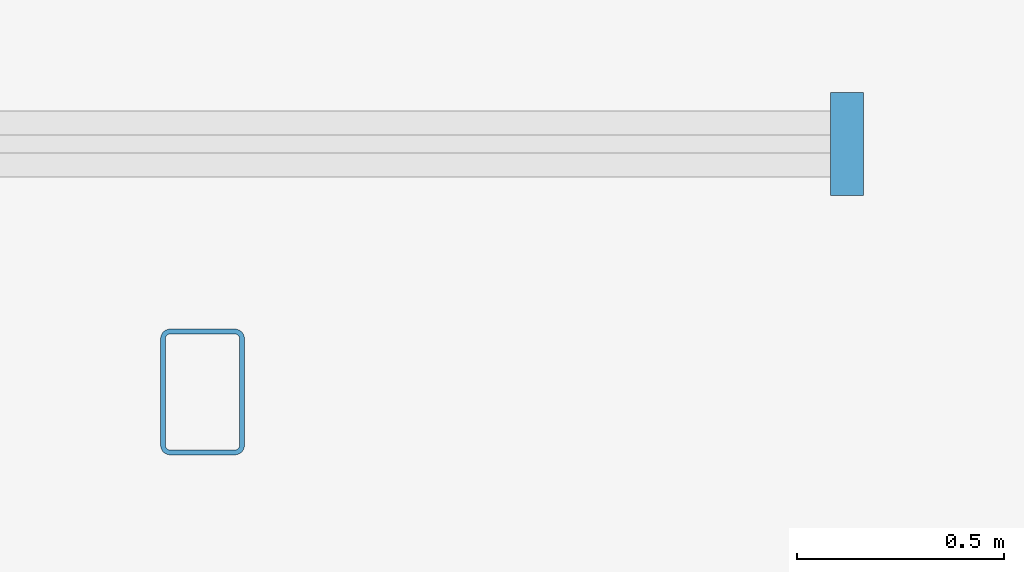
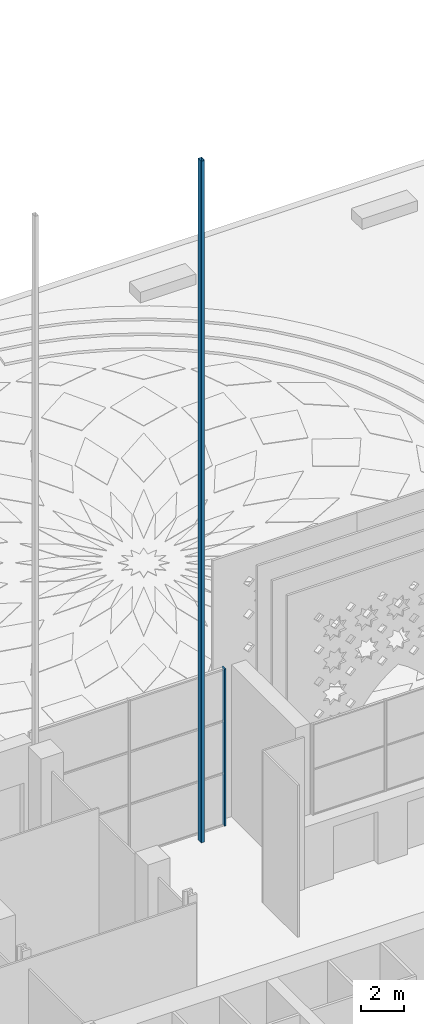
# One storey, part 4 of 23: 2 members, 1 element without a shape of its own.
"""IFC4 building model written with IfcOpenShell, lengths in metres."""

from ifc_helpers import new_model, si_unit, direction, frame, origin, origin_2d, place, context, subcontext, project, spatial, rectangle, hollow_rectangle, extrude, material, material_profile, profile_set, type_object, element, aggregate, save


model = new_model("IFC4")

# Units and contexts
model_context = context("Model", 3, precision=1e-05, world=origin(), true_north=direction((0.0, 1.0)))
body_context = subcontext(model_context, "Body", "Model", "MODEL_VIEW")
ifc_project = project(units=[si_unit("LENGTHUNIT", "METRE"), si_unit("AREAUNIT", "SQUARE_METRE"), si_unit("VOLUMEUNIT", "CUBIC_METRE"), si_unit("PLANEANGLEUNIT", "RADIAN"), si_unit("MASSUNIT", "GRAM", prefix="KILO")], contexts=[model_context])

# Site, building, storey
site_placement = place(None, origin())
site = spatial("IfcSite", under=ifc_project, at=site_placement, CompositionType="ELEMENT")
building_placement = place(site_placement, origin())
building = spatial("IfcBuilding", under=site, at=building_placement, Name="Zellij Exchange Tower", CompositionType="ELEMENT")
storey_placement = place(building_placement, origin())
storey = spatial("IfcBuildingStorey", under=building, at=storey_placement, Name="L00", CompositionType="ELEMENT", Elevation=0.0)

# Curtain wall, member
ifc_material_1 = material(Name="Aluminium frame, clear insulating glass", Category="aluminium")
curtain_wall_type = type_object("IfcCurtainWallType", Name="ENV-CW3 Exchange-hall glazing", PredefinedType="NOTDEFINED", material=ifc_material_1)
curtain_wall_placement = place(storey_placement, origin())
curtain_wall = element("IfcCurtainWall", 1, at=curtain_wall_placement, inside=storey, type_object=curtain_wall_type, Name="cw.L00.14c", PredefinedType="NOTDEFINED")
ifc_material_2 = material(Name="Aluminium", Category="aluminium")
ifc_material_profile_1 = material_profile(ifc_material_2, rectangle(XDim=0.080078125, YDim=0.25, at=origin_2d()), Name="AL 80x250")
ifc_profile_set_1 = profile_set([ifc_material_profile_1], Name="Aluminium")
member_type_1 = type_object("IfcMemberType", Name="ENV-CW3M Mullion 80x250", PredefinedType="MULLION", material=ifc_profile_set_1)
member_1_placement = place(storey_placement, frame((-7.43994140625, 19.60009765625, 0.0), z_axis=(0.0, 0.0, 1.0), x_axis=(-1.0, 0.0, 0.0)))
member_1 = element("IfcMember", 2, at=member_1_placement, type_object=member_type_1, Name="CW3 mullion 1", PredefinedType="MULLION", context=body_context, shape_type="SweptSolid", body=[
    extrude(rectangle(XDim=0.080078125, YDim=0.25, at=origin_2d()), origin(), (0.0, 0.0, 1.0), 9.0),
])
aggregate(curtain_wall, [member_1])

# Member
ifc_material_3 = material(Name="Structural steel ASTM A500 Gr C", Category="steel")
ifc_material_profile_2 = material_profile(ifc_material_3, hollow_rectangle(XDim=0.203125, YDim=0.3046875, WallThickness=0.01171875, InnerFilletRadius=0.01171875, OuterFilletRadius=0.023681640625, at=origin_2d()), Name="STR-WIND POST HSS12x8x1/2")
ifc_profile_set_2 = profile_set([ifc_material_profile_2], Name="Structural steel ASTM A500 Gr C")
member_type_2 = type_object("IfcMemberType", Name="STR-WIND POST HSS12x8x1/2", PredefinedType="POST", material=ifc_profile_set_2)
member_2_placement = place(storey_placement, frame((-9.0, 19.0, 0.0), z_axis=(0.0, 0.0, 1.0), x_axis=(1.0, 0.0, 0.0)))
element("IfcMember", 3, at=member_2_placement, inside=storey, type_object=member_type_2, Name="WP", PredefinedType="POST", context=body_context, shape_type="SweptSolid", body=[
    extrude(hollow_rectangle(XDim=0.203125, YDim=0.3046875, WallThickness=0.01171875, InnerFilletRadius=0.01171875, OuterFilletRadius=0.023681640625, at=origin_2d()), origin(), (0.0, 0.0, 1.0), 39.0),
])

save(model, "model.ifc")
